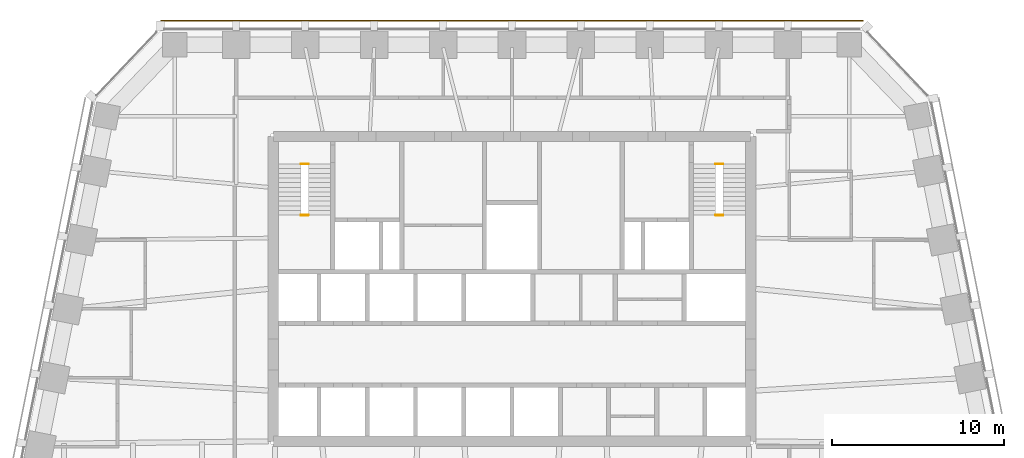
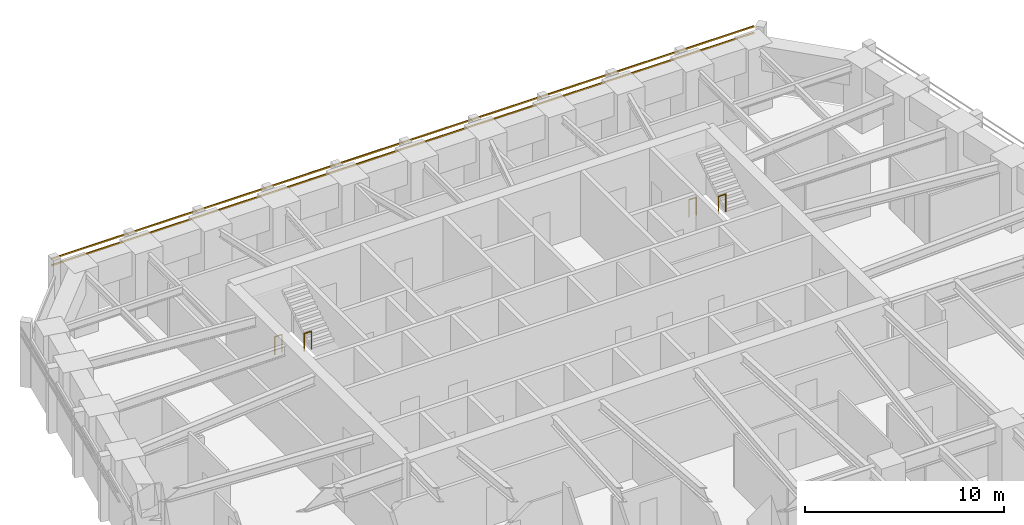
# One storey, part 10 of 10: 4 railings, 2 shading devices.
"""IFC4 building model written with IfcOpenShell, lengths in metres."""

from ifc_helpers import new_model, si_unit, direction, frame, origin, origin_2d, place, context, subcontext, project, spatial, rectangle, circle, extrude, material, material_profile, profile_set, type_object, element, save


model = new_model("IFC4")

# Units and contexts
model_context = context("Model", 3, precision=1e-05, world=origin(), true_north=direction((0.0, 1.0)))
body_context = subcontext(model_context, "Body", "Model", "MODEL_VIEW")
ifc_project = project(units=[si_unit("LENGTHUNIT", "METRE"), si_unit("AREAUNIT", "SQUARE_METRE"), si_unit("VOLUMEUNIT", "CUBIC_METRE"), si_unit("PLANEANGLEUNIT", "RADIAN"), si_unit("MASSUNIT", "GRAM", prefix="KILO")], contexts=[model_context])

# Site, building, storey
site_placement = place(None, origin())
site = spatial("IfcSite", under=ifc_project, at=site_placement, CompositionType="ELEMENT")
building_placement = place(site_placement, origin())
building = spatial("IfcBuilding", under=site, at=building_placement, Name="Isbrekke Arena Tower", CompositionType="ELEMENT")
storey_placement = place(building_placement, frame((0.0, 0.0, 226.0)))
storey = spatial("IfcBuildingStorey", under=building, at=storey_placement, Name="L52", CompositionType="ELEMENT", Elevation=226.0)

# Shading devices
ifc_material_1 = material(Name="Terracotta", Category="masonry")
ifc_material_profile = material_profile(ifc_material_1, rectangle(XDim=0.06005859375, YDim=0.06005859375, at=origin_2d()), Name="BAGUETTE 60X60")
ifc_profile_set = profile_set([ifc_material_profile], Name="Terracotta")
shading_device_type = type_object("IfcShadingDeviceType", Name="BG1 TERRACOTTA BAGUETTE 60 x 60", PredefinedType="USERDEFINED", material=ifc_profile_set)
for number, where, z_axis, x_axis, name in (
    (1, (20.39990234375, 30.580078125, 3.280029296875), (-1.0, 0.0, 0.0), (0.0, -1.0, 0.0), "BG1 terracotta baguette N1 L52"),
    (2, (20.39990234375, 30.580078125, 3.679931640625), (-1.0, 0.0, 0.0), (0.0, -1.0, 0.0), "BG1 terracotta baguette N2 L52"),
):
    element("IfcShadingDevice", number, at=place(storey_placement, frame(where, z_axis=z_axis, x_axis=x_axis)), inside=storey, type_object=shading_device_type, Name=name, ObjectType="TERRACOTTA BAGUETTE", PredefinedType="USERDEFINED", context=body_context, shape_type="SweptSolid", body=[
        extrude(rectangle(XDim=0.06005859375, YDim=0.06005859375, at=origin_2d()), origin(), (0.0, 0.0, 1.0), 40.7998046875),
    ])

# Railings
ifc_material_2 = material(Name="Steel stair guard, vertical bars, steel handrail", Category="steel")
railing_type = type_object("IfcRailingType", Name="GR3 STAIR WELL GUARD 1100", PredefinedType="GUARDRAIL", material=ifc_material_2)
for number, where, name in (
    (3, (-12.25, 22.25, 0.0), "GR3 stair well guard ST1 L52"),
    (4, (-12.25, 19.280029296875, 2.0), "GR3 stair well guard ST1 L52"),
    (5, (11.824951171875, 22.25, 0.0), "GR3 stair well guard ST2 L52"),
    (6, (11.824951171875, 19.280029296875, 2.0), "GR3 stair well guard ST2 L52"),
):
    element("IfcRailing", number, at=place(storey_placement, frame(where)), inside=storey, type_object=railing_type, Name=name, PredefinedType="GUARDRAIL", context=body_context, shape_type="SweptSolid", body=[
        extrude(circle(Radius=0.02392578125, at=origin_2d()), frame((0.0, 0.0, 1.076171875), z_axis=(1.0, 0.0, 0.0), x_axis=(0.0, 1.0, 0.0)), (0.0, 0.0, 1.0), 0.425048828125),
        extrude(circle(Radius=0.02099609375, at=origin_2d()), origin(), (0.0, 0.0, 1.0), 1.052001953125),
        extrude(circle(Radius=0.02099609375, at=origin_2d()), frame((0.425048828125, 0.0, 0.0)), (0.0, 0.0, 1.0), 1.052001953125),
    ])

save(model, "model.ifc")
